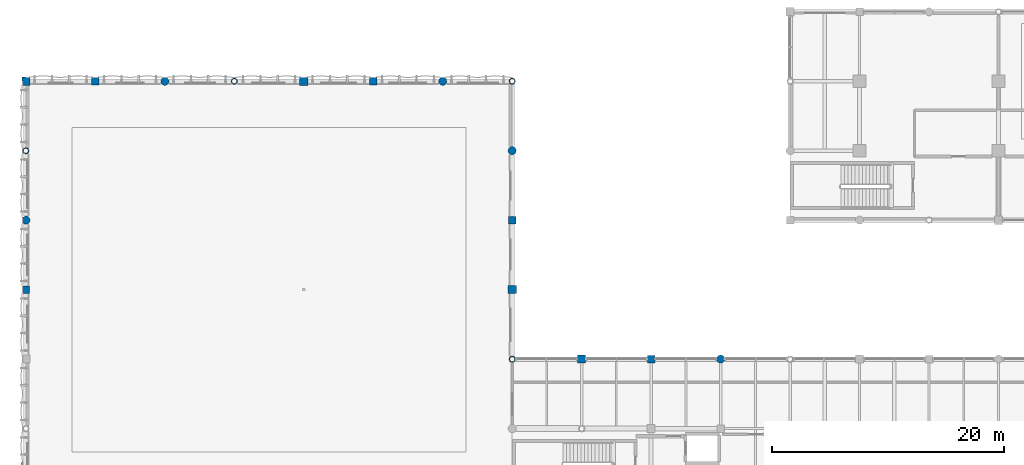
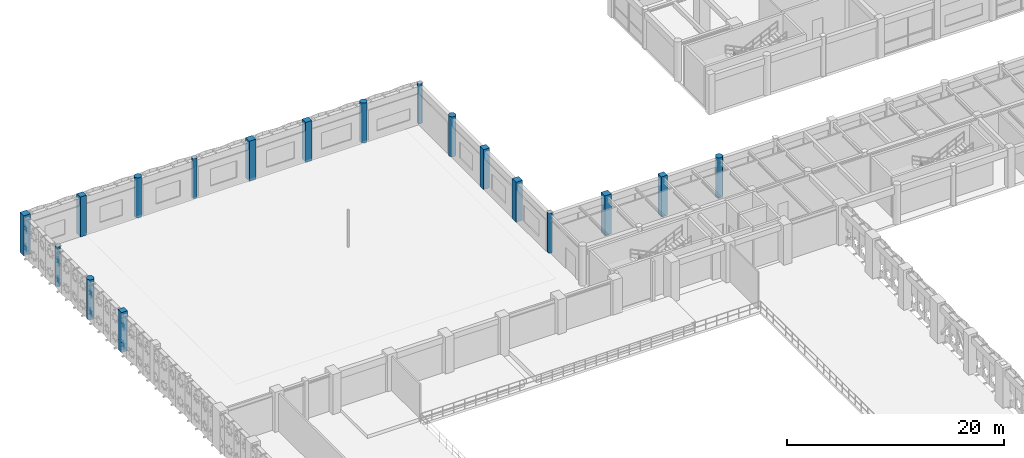
# One storey, part 7 of 116: 18 columns.
"""IFC4 building model written with IfcOpenShell, lengths in metres."""

from ifc_helpers import new_model, si_unit, direction, frame, origin, origin_2d, place, context, subcontext, project, spatial, rectangle, circle, hollow_circle, extrude, material, material_profile, profile_set, type_object, element, save


model = new_model("IFC4")

# Units and contexts
model_context = context("Model", 3, precision=1e-05, world=origin(), true_north=direction((0.0, 1.0)))
body_context = subcontext(model_context, "Body", "Model", "MODEL_VIEW")
ifc_project = project(units=[si_unit("LENGTHUNIT", "METRE"), si_unit("AREAUNIT", "SQUARE_METRE"), si_unit("VOLUMEUNIT", "CUBIC_METRE"), si_unit("PLANEANGLEUNIT", "RADIAN"), si_unit("MASSUNIT", "GRAM", prefix="KILO"), si_unit("THERMODYNAMICTEMPERATUREUNIT", "KELVIN"), si_unit("POWERUNIT", "WATT")], contexts=[model_context])

# Site, building, storey
site_placement = place(None, origin())
site = spatial("IfcSite", under=ifc_project, at=site_placement, CompositionType="ELEMENT")
building_placement = place(site_placement, origin())
building = spatial("IfcBuilding", under=site, at=building_placement, Name="Phaisarnlok Congress Hotel", CompositionType="ELEMENT")
storey_placement = place(building_placement, frame((0.0, 0.0, 10.5)))
storey = spatial("IfcBuildingStorey", under=building, at=storey_placement, Name="L02", CompositionType="ELEMENT", Elevation=10.5)

# Columns
ifc_material_1 = material(Name="Concrete C50/60", Category="concrete")
ifc_material_profile_1 = material_profile(ifc_material_1, rectangle(XDim=0.64990234375, YDim=0.64990234375, at=origin_2d()), Name="RC 650x650")
ifc_profile_set_1 = profile_set([ifc_material_profile_1], Name="Concrete C50/60")
column_type_1 = type_object("IfcColumnType", Name="COL-RC-650", PredefinedType="COLUMN", material=ifc_profile_set_1)
for number, where, z_axis, x_axis, name in (
    (1, (6.0, 120.0, 0.0), (0.0, 0.0, 1.0), (1.0, 0.0, 0.0), "Column C-04 (L02)"),
    (2, (30.0, 120.0, 0.0), (0.0, 0.0, 1.0), (1.0, 0.0, 0.0), "Column C-04 (L02)"),
    (3, (42.0, 108.0, 0.0), (0.0, 0.0, 1.0), (1.0, 0.0, 0.0), "Column C-04 (L02)"),
    (4, (54.0, 96.0, 0.0), (0.0, 0.0, 1.0), (1.0, 0.0, 0.0), "Column C-04 (L02)"),
):
    element("IfcColumn", number, at=place(storey_placement, frame(where, z_axis=z_axis, x_axis=x_axis)), inside=storey, type_object=column_type_1, Name=name, PredefinedType="COLUMN", context=body_context, shape_type="SweptSolid", body=[
        extrude(rectangle(XDim=0.64990234375, YDim=0.64990234375, at=origin_2d()), origin(), (0.0, 0.0, 1.0), 4.5),
    ])
ifc_material_profile_2 = material_profile(ifc_material_1, rectangle(XDim=0.64990234375, YDim=0.64990234375, at=origin_2d()), Name="RC 650x650")
ifc_profile_set_2 = profile_set([ifc_material_profile_2], Name="Concrete C50/60")
column_type_2 = type_object("IfcColumnType", Name="COL-RC-650-EXT", PredefinedType="COLUMN", material=ifc_profile_set_2)
column_1_placement = place(storey_placement, frame((0.0, 102.0, 0.0), z_axis=(0.0, 0.0, 1.0), x_axis=(1.0, 0.0, 0.0)))
element("IfcColumn", 5, at=column_1_placement, inside=storey, type_object=column_type_2, Name="Column C-04E (L02)", PredefinedType="COLUMN", context=body_context, shape_type="SweptSolid", body=[
    extrude(rectangle(XDim=0.64990234375, YDim=0.64990234375, at=origin_2d()), origin(), (0.0, 0.0, 1.0), 4.5),
])
ifc_material_profile_3 = material_profile(ifc_material_1, rectangle(XDim=0.699951171875, YDim=0.699951171875, at=origin_2d()), Name="RC 700x700")
ifc_profile_set_3 = profile_set([ifc_material_profile_3], Name="Concrete C50/60")
column_type_3 = type_object("IfcColumnType", Name="COL-RC-700", PredefinedType="COLUMN", material=ifc_profile_set_3)
for number, where, z_axis, x_axis, name in (
    (6, (24.0, 120.0, 0.0), (0.0, 0.0, 1.0), (1.0, 0.0, 0.0), "Column C-05 (L02)"),
    (7, (42.0, 102.0, 0.0), (0.0, 0.0, 1.0), (1.0, 0.0, 0.0), "Column C-05 (L02)"),
    (8, (48.0, 96.0, 0.0), (0.0, 0.0, 1.0), (1.0, 0.0, 0.0), "Column C-05 (L02)"),
):
    element("IfcColumn", number, at=place(storey_placement, frame(where, z_axis=z_axis, x_axis=x_axis)), inside=storey, type_object=column_type_3, Name=name, PredefinedType="COLUMN", context=body_context, shape_type="SweptSolid", body=[
        extrude(rectangle(XDim=0.699951171875, YDim=0.699951171875, at=origin_2d()), origin(), (0.0, 0.0, 1.0), 4.5),
    ])
ifc_material_profile_4 = material_profile(ifc_material_1, rectangle(XDim=0.699951171875, YDim=0.699951171875, at=origin_2d()), Name="RC 700x700")
ifc_profile_set_4 = profile_set([ifc_material_profile_4], Name="Concrete C50/60")
column_type_4 = type_object("IfcColumnType", Name="COL-RC-700-EXT", PredefinedType="COLUMN", material=ifc_profile_set_4)
column_2_placement = place(storey_placement, frame((0.0, 120.0, 0.0), z_axis=(0.0, 0.0, 1.0), x_axis=(1.0, 0.0, 0.0)))
element("IfcColumn", 9, at=column_2_placement, inside=storey, type_object=column_type_4, Name="Column C-05E (L02)", PredefinedType="COLUMN", context=body_context, shape_type="SweptSolid", body=[
    extrude(rectangle(XDim=0.699951171875, YDim=0.699951171875, at=origin_2d()), origin(), (0.0, 0.0, 1.0), 4.5),
])
ifc_material_profile_5 = material_profile(ifc_material_1, circle(Radius=0.35009765625, at=origin_2d()), Name="RCC D700")
ifc_profile_set_5 = profile_set([ifc_material_profile_5], Name="Concrete C50/60")
column_type_5 = type_object("IfcColumnType", Name="COL-RCC-700", PredefinedType="COLUMN", material=ifc_profile_set_5)
for number, where, z_axis, x_axis, name in (
    (10, (12.0, 120.0, 0.0), (0.0, 0.0, 1.0), (1.0, 0.0, 0.0), "Column C-13 (L02)"),
    (11, (36.0, 120.0, 0.0), (0.0, 0.0, 1.0), (1.0, 0.0, 0.0), "Column C-13 (L02)"),
    (12, (42.0, 114.0, 0.0), (0.0, 0.0, 1.0), (1.0, 0.0, 0.0), "Column C-13 (L02)"),
    (13, (60.0, 96.0, 0.0), (0.0, 0.0, 1.0), (1.0, 0.0, 0.0), "Column C-13 (L02)"),
):
    element("IfcColumn", number, at=place(storey_placement, frame(where, z_axis=z_axis, x_axis=x_axis)), inside=storey, type_object=column_type_5, Name=name, PredefinedType="COLUMN", context=body_context, shape_type="SweptSolid", body=[
        extrude(circle(Radius=0.35009765625, at=origin_2d()), origin(), (0.0, 0.0, 1.0), 4.5),
    ])
ifc_material_profile_6 = material_profile(ifc_material_1, circle(Radius=0.35009765625, at=origin_2d()), Name="RCC D700")
ifc_profile_set_6 = profile_set([ifc_material_profile_6], Name="Concrete C50/60")
column_type_6 = type_object("IfcColumnType", Name="COL-RCC-700-EXT", PredefinedType="COLUMN", material=ifc_profile_set_6)
column_3_placement = place(storey_placement, frame((0.0, 108.0, 0.0), z_axis=(0.0, 0.0, 1.0), x_axis=(1.0, 0.0, 0.0)))
element("IfcColumn", 14, at=column_3_placement, inside=storey, type_object=column_type_6, Name="Column C-13E (L02)", PredefinedType="COLUMN", context=body_context, shape_type="SweptSolid", body=[
    extrude(circle(Radius=0.35009765625, at=origin_2d()), origin(), (0.0, 0.0, 1.0), 4.5),
])
ifc_material_2 = material(Name="Steel S355", Category="steel")
ifc_material_profile_7 = material_profile(ifc_material_2, hollow_circle(Radius=0.25390625, WallThickness=0.02490234375, at=origin_2d()), Name="CHS 508x25")
ifc_profile_set_7 = profile_set([ifc_material_profile_7], Name="Steel S355")
column_type_7 = type_object("IfcColumnType", Name="COL-STL-CHS508", PredefinedType="COLUMN", material=ifc_profile_set_7)
for number, where, z_axis, x_axis, name in (
    (15, (18.0, 120.0, 0.0), (0.0, 0.0, 1.0), (1.0, 0.0, 0.0), "Column SC-03 (L02)"),
    (16, (42.0, 96.0, 0.0), (0.0, 0.0, 1.0), (1.0, 0.0, 0.0), "Column SC-03 (L02)"),
    (17, (42.0, 120.0, 0.0), (0.0, 0.0, 1.0), (1.0, 0.0, 0.0), "Column SC-03 (L02)"),
):
    element("IfcColumn", number, at=place(storey_placement, frame(where, z_axis=z_axis, x_axis=x_axis)), inside=storey, type_object=column_type_7, Name=name, PredefinedType="COLUMN", context=body_context, shape_type="SweptSolid", body=[
        extrude(hollow_circle(Radius=0.25390625, WallThickness=0.02490234375, at=origin_2d()), origin(), (0.0, 0.0, 1.0), 4.5),
    ])
ifc_material_profile_8 = material_profile(ifc_material_2, hollow_circle(Radius=0.25390625, WallThickness=0.02490234375, at=origin_2d()), Name="CHS 508x25")
ifc_profile_set_8 = profile_set([ifc_material_profile_8], Name="Steel S355")
column_type_8 = type_object("IfcColumnType", Name="COL-STL-CHS508-EXT", PredefinedType="COLUMN", material=ifc_profile_set_8)
column_4_placement = place(storey_placement, frame((0.0, 114.0, 0.0), z_axis=(0.0, 0.0, 1.0), x_axis=(1.0, 0.0, 0.0)))
element("IfcColumn", 18, at=column_4_placement, inside=storey, type_object=column_type_8, Name="Column SC-03E (L02)", PredefinedType="COLUMN", context=body_context, shape_type="SweptSolid", body=[
    extrude(hollow_circle(Radius=0.25390625, WallThickness=0.02490234375, at=origin_2d()), origin(), (0.0, 0.0, 1.0), 4.5),
])

save(model, "model.ifc")
